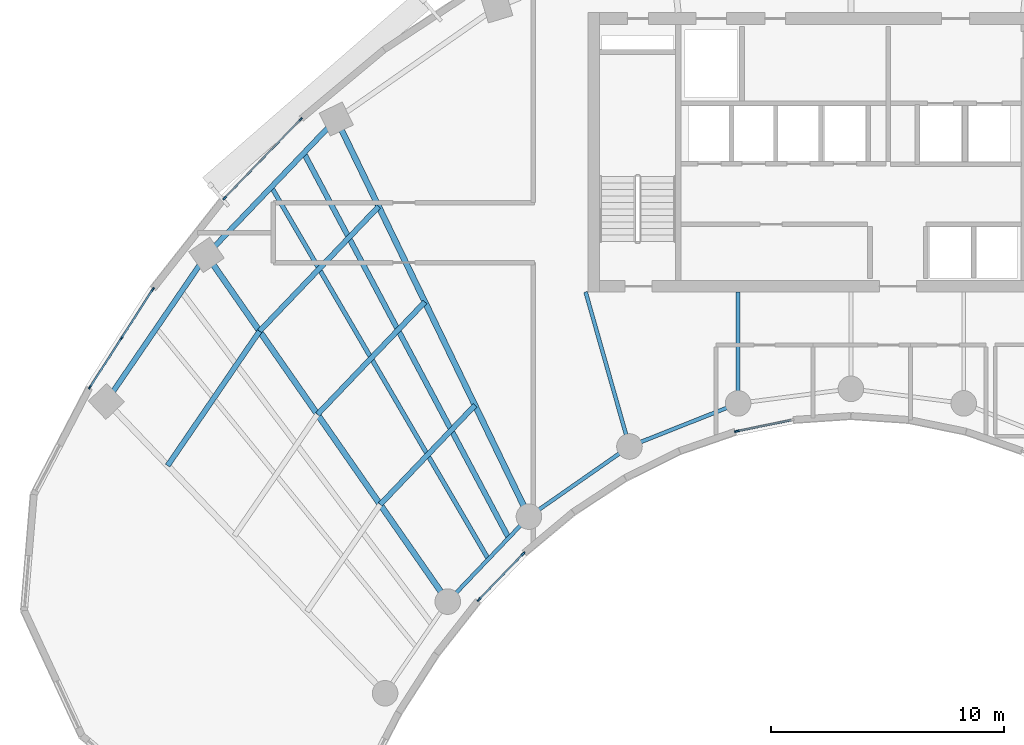
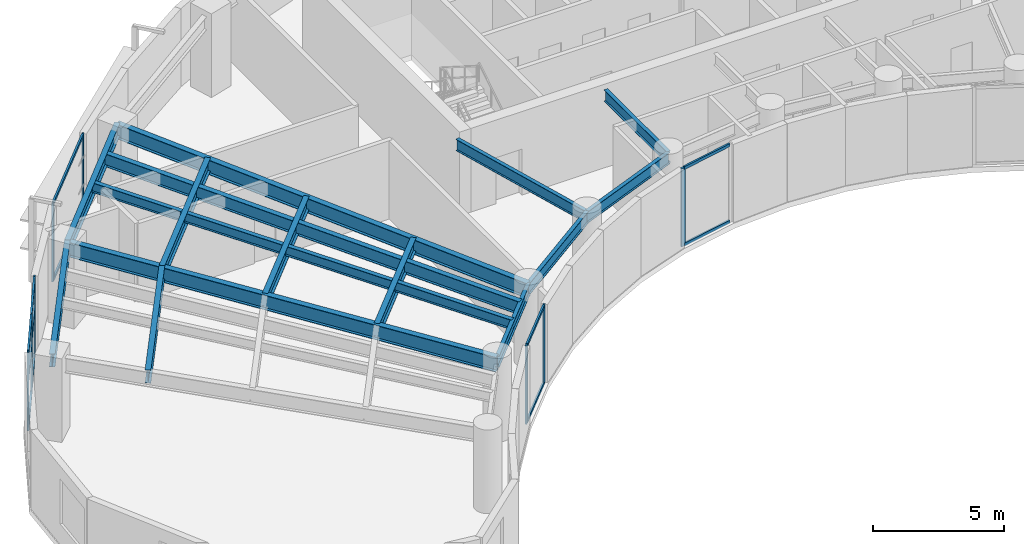
# One storey, part 2 of 13: 20 members, 15 beams, 4 elements without a shape of their own.
"""IFC4 building model written with IfcOpenShell, lengths in metres."""

import ifcopenshell
import ifcopenshell.guid

model = None  # the IFC model being written
_history = None  # IfcOwnerHistory: only IFC2X3 demands one
_inside = {}  # id of a spatial element -> (the spatial element, [elements in it])
_under = {}  # id of a project, library or spatial element -> (it, [spatial elements below it])
_declared = {}  # id of a project -> (the project, [libraries it declares])
_typed = {}  # id of a type object -> (the type object, [elements of that type])
_made_of = {}  # id of a material, layer set ... -> (it, [elements and type objects made of it])


def new_model(schema):
    """Start an empty IFC model of exactly this schema.

    Asked for "IFC4X3", IfcOpenShell would pick the latest addendum, in which some entities
    have other attributes; the version numbers below select the first issue.
    IFC2X3 requires an IfcOwnerHistory on every rooted entity: one is made here for all.
    """
    global model, _history
    if schema == "IFC4X3":
        model = ifcopenshell.file(schema_version=(4, 3, 0, 0))
    else:
        model = ifcopenshell.file(schema=schema)
    _inside.clear()
    _under.clear()
    _declared.clear()
    _typed.clear()
    _made_of.clear()
    _history = None
    if model.schema == "IFC2X3":
        org = make("IfcOrganization", Name="unknown")
        user = make(
            "IfcPersonAndOrganization",
            ThePerson=make("IfcPerson", FamilyName="unknown"),
            TheOrganization=org,
        )
        app = make(
            "IfcApplication",
            ApplicationDeveloper=org,
            Version="unknown",
            ApplicationFullName="unknown",
            ApplicationIdentifier="unknown",
        )
        _history = make(
            "IfcOwnerHistory",
            OwningUser=user,
            OwningApplication=app,
            ChangeAction="ADDED",
            CreationDate=0,
        )
    return model


def make(cls, **values):
    """One entity of the class cls with the attributes given. An attribute that is None is left unset."""
    return model.create_entity(
        cls, **{name: value for name, value in values.items() if value is not None}
    )


def rooted(cls, **values):
    """An entity with a GlobalId (a new one), such as an element, a storey or a relation."""
    return make(cls, GlobalId=ifcopenshell.guid.new(), OwnerHistory=_history, **values)


def si_unit(unit_type, name, prefix=None):
    """IfcSIUnit, for example si_unit("LENGTHUNIT", "METRE", prefix="MILLI")."""
    return make("IfcSIUnit", UnitType=unit_type, Prefix=prefix, Name=name)


def assignment(units):
    """IfcUnitAssignment: the units of a project."""
    return None if units is None else make("IfcUnitAssignment", Units=units)


def point(xyz):
    """IfcCartesianPoint."""
    return None if xyz is None else make("IfcCartesianPoint", Coordinates=xyz)


def direction(xyz):
    """IfcDirection."""
    return None if xyz is None else make("IfcDirection", DirectionRatios=xyz)


def frame(location, z_axis=None, x_axis=None):
    """IfcAxis2Placement3D, a coordinate frame: its origin and axes. An axis left out is left unset."""
    return make(
        "IfcAxis2Placement3D",
        Location=point(location),
        Axis=direction(z_axis),
        RefDirection=direction(x_axis),
    )


def frame_2d(location, x_axis=None):
    """IfcAxis2Placement2D, a coordinate frame in the plane: its origin and x axis."""
    return make(
        "IfcAxis2Placement2D", Location=point(location), RefDirection=direction(x_axis)
    )


def origin():
    """The frame at (0, 0, 0) with its axes left unset."""
    return frame((0.0, 0.0, 0.0))


def origin_2d():
    """The frame at (0, 0) in the plane with its x axis left unset."""
    return frame_2d((0.0, 0.0))


def place(relative_to, where):
    """IfcLocalPlacement: puts the frame where relative to a parent placement (None: the world)."""
    return make(
        "IfcLocalPlacement", PlacementRelTo=relative_to, RelativePlacement=where
    )


def context(
    kind, dimensions, precision=None, world=None, true_north=None, identifier=None
):
    """IfcGeometricRepresentationContext, for example the 3D "Model" context."""
    return make(
        "IfcGeometricRepresentationContext",
        ContextIdentifier=identifier,
        ContextType=kind,
        CoordinateSpaceDimension=dimensions,
        Precision=precision,
        WorldCoordinateSystem=world,
        TrueNorth=true_north,
    )


def subcontext(parent, identifier, kind, view, scale=None):
    """IfcGeometricRepresentationSubContext, for example "Body" below "Model"."""
    return make(
        "IfcGeometricRepresentationSubContext",
        ContextIdentifier=identifier,
        ContextType=kind,
        ParentContext=parent,
        TargetScale=scale,
        TargetView=view,
    )


def project(units=None, contexts=None):
    """IfcProject with its units and contexts."""
    return rooted(
        "IfcProject",
        Name="project",
        RepresentationContexts=contexts,
        UnitsInContext=assignment(units),
    )


def spatial(cls, under=None, at=None, **own):
    """A site, building, storey or space (cls), placed at a placement, below another one or the project."""
    s = rooted(cls, ObjectPlacement=at, **own)
    if under is not None:
        _under.setdefault(under.id(), (under, []))[1].append(s)
    return s


def profile(cls, at=None, kind="AREA", **sizes):
    """A parametric profile (cls). Its sizes go by their IFC names, for example OverallWidth=200.0."""
    return make(cls, ProfileType=kind, Position=at, **sizes)


def rectangle(**sizes):
    """IfcRectangleProfileDef."""
    return profile("IfcRectangleProfileDef", **sizes)


def i_section(**sizes):
    """IfcIShapeProfileDef."""
    return profile("IfcIShapeProfileDef", **sizes)


def extrude(swept, where, along, depth):
    """IfcExtrudedAreaSolid: the profile swept, set in the frame where, extruded along a direction by depth."""
    return make(
        "IfcExtrudedAreaSolid",
        SweptArea=swept,
        Position=where,
        ExtrudedDirection=direction(along),
        Depth=depth,
    )


def shape(context_of_items, identifier, shape_type, items):
    """IfcShapeRepresentation: the items that make up one representation, for example the "Body"."""
    return make(
        "IfcShapeRepresentation",
        ContextOfItems=context_of_items,
        RepresentationIdentifier=identifier,
        RepresentationType=shape_type,
        Items=items,
    )


def source(mapping_origin, context_of_items, identifier, shape_type, items):
    """IfcRepresentationMap: a shape defined once, which mapped items show again and again."""
    return make(
        "IfcRepresentationMap",
        MappingOrigin=mapping_origin,
        MappedRepresentation=shape(context_of_items, identifier, shape_type, items),
    )


def transform(
    local_origin,
    x_axis=None,
    y_axis=None,
    z_axis=None,
    scale=None,
    scale2=None,
    scale3=None,
    uniform=True,
):
    """IfcCartesianTransformationOperator3D, or its non-uniform kind. x_axis, y_axis, z_axis: its Axis1, 2, 3."""
    if uniform:
        return make(
            "IfcCartesianTransformationOperator3D",
            Axis1=direction(x_axis),
            Axis2=direction(y_axis),
            LocalOrigin=point(local_origin),
            Scale=scale,
            Axis3=direction(z_axis),
        )
    return make(
        "IfcCartesianTransformationOperator3DnonUniform",
        Axis1=direction(x_axis),
        Axis2=direction(y_axis),
        LocalOrigin=point(local_origin),
        Scale=scale,
        Axis3=direction(z_axis),
        Scale2=scale2,
        Scale3=scale3,
    )


def mapped(mapping_source, mapping_target):
    """IfcMappedItem: shows the shape of a source again, moved by a transform."""
    return make(
        "IfcMappedItem", MappingSource=mapping_source, MappingTarget=mapping_target
    )


def material(Name=None, Category=None):
    """IfcMaterial."""
    return make("IfcMaterial", Name=Name, Category=Category)


def layer(
    of_material, thickness, ventilated=None, Name=None, Category=None, Priority=None
):
    """IfcMaterialLayer: one layer of a wall or slab, of a material (None: an air gap)."""
    return make(
        "IfcMaterialLayer",
        Material=of_material,
        LayerThickness=thickness,
        IsVentilated=ventilated,
        Name=Name,
        Category=Category,
        Priority=Priority,
    )


def layer_set(layers, Name=None):
    """IfcMaterialLayerSet."""
    return make("IfcMaterialLayerSet", MaterialLayers=layers, LayerSetName=Name)


def material_profile(
    of_material, cross_section, Name=None, Category=None, Priority=None
):
    """IfcMaterialProfile: a cross section and its material."""
    return make(
        "IfcMaterialProfile",
        Name=Name,
        Material=of_material,
        Profile=cross_section,
        Priority=Priority,
        Category=Category,
    )


def profile_set(profiles, Name=None, composite=None):
    """IfcMaterialProfileSet."""
    return make(
        "IfcMaterialProfileSet",
        Name=Name,
        MaterialProfiles=profiles,
        CompositeProfile=composite,
    )


def made_of(thing, what):
    """Note that an element or type object is made of a material, layer set ...; save() writes the relation."""
    if what is not None:
        _made_of.setdefault(what.id(), (what, []))[1].append(thing)
    return thing


def type_object(cls, material=None, **own):
    """A type object (cls), such as IfcWallType, which elements share."""
    return made_of(rooted(cls, **own), material)


def type_shapes(of_type, sources):
    """Give a type object the sources (RepresentationMaps) that its elements show as mapped items."""
    of_type.RepresentationMaps = sources


def element(
    cls,
    number,
    at=None,
    inside=None,
    cuts=None,
    type_object=None,
    material=None,
    context=None,
    identifier="Body",
    shape_type=None,
    held_by="IfcProductDefinitionShape",
    body=None,
    shapes=None,
    **own,
):
    """One element of the class cls, such as IfcWall. Its Tag is "e" and its number.

    at: its placement. inside: the storey or other place that contains it. cuts: it is an
    opening in that element (IfcRelVoidsElement). A single representation is given by context,
    identifier, shape_type and body (its items); several are given by shapes. held_by: the class
    of the entity that holds the representations. save() writes the other relations.
    """
    e = rooted(cls, Tag="e%d" % number, ObjectPlacement=at, **own)
    if body is not None:
        shapes = [shape(context, identifier, shape_type, body)]
    if shapes is not None:
        e.Representation = make(held_by, Representations=shapes)
    if inside is not None:
        _inside.setdefault(inside.id(), (inside, []))[1].append(e)
    if cuts is not None:
        rooted(
            "IfcRelVoidsElement", RelatingBuildingElement=cuts, RelatedOpeningElement=e
        )
    if type_object is not None:
        _typed.setdefault(type_object.id(), (type_object, []))[1].append(e)
    return made_of(e, material)


def aggregate(whole, parts):
    """IfcRelAggregates: a whole, such as a stair, and the parts it consists of."""
    return rooted("IfcRelAggregates", RelatingObject=whole, RelatedObjects=parts)


def save(model, path):
    """Write the relations noted so far, then the file.

    IfcRelAggregates (storeys below a building ...), IfcRelContainedInSpatialStructure (elements
    in a storey), IfcRelDefinesByType, IfcRelAssociatesMaterial and IfcRelDeclares: one each for
    every whole, place, type object, material and project.
    """
    for whole, parts in _under.values():
        aggregate(whole, parts)
    for where, things in _inside.values():
        rooted(
            "IfcRelContainedInSpatialStructure",
            RelatedElements=things,
            RelatingStructure=where,
        )
    for kind, things in _typed.values():
        rooted("IfcRelDefinesByType", RelatedObjects=things, RelatingType=kind)
    for what, things in _made_of.values():
        rooted("IfcRelAssociatesMaterial", RelatedObjects=things, RelatingMaterial=what)
    for by, libraries in _declared.values():
        rooted("IfcRelDeclares", RelatingContext=by, RelatedDefinitions=libraries)
    model.write(path)


model = new_model("IFC4")

# Units and contexts
model_context = context("Model", 3, precision=1e-05, world=origin(), true_north=direction((0.0, 1.0)))
body_context = subcontext(model_context, "Body", "Model", "MODEL_VIEW")
ifc_project = project(units=[si_unit("LENGTHUNIT", "METRE"), si_unit("AREAUNIT", "SQUARE_METRE"), si_unit("VOLUMEUNIT", "CUBIC_METRE"), si_unit("PLANEANGLEUNIT", "RADIAN"), si_unit("MASSUNIT", "GRAM", prefix="KILO")], contexts=[model_context])

# Site, building, storey
site_placement = place(None, origin())
site = spatial("IfcSite", under=ifc_project, at=site_placement, CompositionType="ELEMENT")
building_placement = place(site_placement, origin())
building = spatial("IfcBuilding", under=site, at=building_placement, Name="Breltana Convention Tower", CompositionType="ELEMENT")
storey_placement = place(building_placement, frame((0.0, 0.0, 158.39990234375)))
storey = spatial("IfcBuildingStorey", under=building, at=storey_placement, Name="L38", CompositionType="ELEMENT", Elevation=158.39990234375)

# Beams
ifc_material_1 = material(Name="Steel ASTM A992 Grade 50", Category="steel")
ifc_material_profile_1 = material_profile(ifc_material_1, i_section(OverallWidth=0.25390625, OverallDepth=0.68798828125, WebThickness=0.01318359375, FlangeThickness=0.02099609375, at=origin_2d()), Name="W27X102")
ifc_profile_set_1 = profile_set([ifc_material_profile_1], Name="Steel ASTM A992 Grade 50")
beam_type_1 = type_object("IfcBeamType", Name="BM-RG-W27X102", PredefinedType="USERDEFINED", material=ifc_profile_set_1)
shared_shape_1 = source(origin(), body_context, "Body", "SweptSolid", [
    extrude(i_section(OverallWidth=0.25390625, OverallDepth=0.68798828125, WebThickness=0.01318359375, FlangeThickness=0.02099609375, at=origin_2d()), origin(), (0.0, 0.0, 1.0), 18.1484375),
])
beam_1_placement = place(storey_placement, frame((30.67724609375, 46.892333984375, 3.30615234375), z_axis=(-0.571207556098, 0.820805657788, 0.0), x_axis=(-0.820805657788, -0.571207556098, 0.0)))
element("IfcBeam", 1, at=beam_1_placement, inside=storey, type_object=beam_type_1, Name="L38 Radial Floor Girder R02", ObjectType="GIRDER", PredefinedType="USERDEFINED", context=body_context, shape_type="MappedRepresentation", body=[
    mapped(shared_shape_1, transform((0.0, 0.0, 0.0), scale=1.0)),
])
shared_shape_2 = source(origin(), body_context, "Body", "SweptSolid", [
    extrude(i_section(OverallWidth=0.25390625, OverallDepth=0.68798828125, WebThickness=0.01318359375, FlangeThickness=0.02099609375, at=origin_2d()), origin(), (0.0, 0.0, 1.0), 18.982421875),
])
beam_2_placement = place(storey_placement, frame((34.166259765625, 50.544921875, 3.30615234375), z_axis=(-0.436118560343, 0.89988921614, 0.0), x_axis=(-0.89988921614, -0.436118560343, 0.0)))
element("IfcBeam", 2, at=beam_2_placement, inside=storey, type_object=beam_type_1, Name="L38 Radial Floor Girder R03", ObjectType="GIRDER", PredefinedType="USERDEFINED", context=body_context, shape_type="MappedRepresentation", body=[
    mapped(shared_shape_2, transform((0.0, 0.0, 0.0), scale=1.0)),
])
ifc_material_profile_2 = material_profile(ifc_material_1, i_section(OverallWidth=0.166015625, OverallDepth=0.534912109375, WebThickness=0.01025390625, FlangeThickness=0.0166015625, at=origin_2d()), Name="W21X57")
ifc_profile_set_2 = profile_set([ifc_material_profile_2], Name="Steel ASTM A992 Grade 50")
beam_type_2 = type_object("IfcBeamType", Name="BM-BM-W21X57", PredefinedType="BEAM", material=ifc_profile_set_2)
shared_shape_3 = source(origin(), body_context, "Body", "SweptSolid", [
    extrude(i_section(OverallWidth=0.166015625, OverallDepth=0.534912109375, WebThickness=0.01025390625, FlangeThickness=0.0166015625, at=origin_2d()), origin(), (0.0, 0.0, 1.0), 6.904541015625),
])
type_shapes(beam_type_2, [shared_shape_3])
beam_3_placement = place(storey_placement, frame((36.60009765625, 60.199951171875, 3.382568359375), z_axis=(0.273006781054, -0.962012108811, 0.0), x_axis=(0.962012108811, 0.273006781054, 0.0)))
element("IfcBeam", 3, at=beam_3_placement, inside=storey, type_object=beam_type_2, Name="L38 South Core Tie Girder R04", PredefinedType="BEAM", context=body_context, shape_type="MappedRepresentation", body=[
    mapped(shared_shape_3, transform((0.0, 0.0, 0.0), scale=1.0)),
])
shared_shape_4 = source(origin(), body_context, "Body", "SweptSolid", [
    extrude(i_section(OverallWidth=0.166015625, OverallDepth=0.534912109375, WebThickness=0.01025390625, FlangeThickness=0.0166015625, at=origin_2d()), origin(), (0.0, 0.0, 1.0), 4.789306640625),
])
beam_4_placement = place(storey_placement, frame((43.153564453125, 60.199951171875, 3.382568359375), z_axis=(0.0, -1.0, 0.0), x_axis=(1.0, 0.0, 0.0)))
element("IfcBeam", 4, at=beam_4_placement, inside=storey, type_object=beam_type_2, Name="L38 South Core Tie Girder R05", PredefinedType="BEAM", context=body_context, shape_type="MappedRepresentation", body=[
    mapped(shared_shape_4, transform((0.0, 0.0, 0.0), scale=1.0)),
])
ifc_material_profile_3 = material_profile(ifc_material_1, i_section(OverallWidth=0.22802734375, OverallDepth=0.60791015625, WebThickness=0.01123046875, FlangeThickness=0.017333984375, at=origin_2d()), Name="W24X76")
ifc_profile_set_3 = profile_set([ifc_material_profile_3], Name="Steel ASTM A992 Grade 50")
beam_type_3 = type_object("IfcBeamType", Name="BM-SP-W24X76", PredefinedType="SPANDREL", material=ifc_profile_set_3)
shared_shape_5 = source(origin(), body_context, "Body", "SweptSolid", [
    extrude(i_section(OverallWidth=0.22802734375, OverallDepth=0.60791015625, WebThickness=0.01123046875, FlangeThickness=0.017333984375, at=origin_2d()), origin(), (0.0, 0.0, 1.0), 7.625),
])
type_shapes(beam_type_3, [shared_shape_5])
beam_5_placement = place(storey_placement, frame((16.0068359375, 55.494384765625, 3.34619140625), z_axis=(0.564452031902, 0.825465870694, 0.0), x_axis=(-0.825465870694, 0.564452031902, 0.0)))
element("IfcBeam", 5, at=beam_5_placement, inside=storey, type_object=beam_type_3, Name="L38 Outer Spandrel Beam 01", PredefinedType="SPANDREL", context=body_context, shape_type="MappedRepresentation", body=[
    mapped(shared_shape_5, transform((0.0, 0.0, 0.0), scale=1.0)),
])
shared_shape_6 = source(origin(), body_context, "Body", "SweptSolid", [
    extrude(i_section(OverallWidth=0.166015625, OverallDepth=0.534912109375, WebThickness=0.01025390625, FlangeThickness=0.0166015625, at=origin_2d()), origin(), (0.0, 0.0, 1.0), 5.05126953125),
])
beam_6_placement = place(storey_placement, frame((30.67724609375, 46.892333984375, 3.382568359375), z_axis=(0.690729753845, 0.7231129975, 0.0), x_axis=(-0.7231129975, 0.690729753845, 0.0)))
element("IfcBeam", 6, at=beam_6_placement, inside=storey, type_object=beam_type_2, Name="L38 Inner Ring Beam 02", PredefinedType="BEAM", context=body_context, shape_type="MappedRepresentation", body=[
    mapped(shared_shape_6, transform((0.0, 0.0, 0.0), scale=1.0)),
])
shared_shape_7 = source(origin(), body_context, "Body", "SweptSolid", [
    extrude(i_section(OverallWidth=0.22802734375, OverallDepth=0.60791015625, WebThickness=0.01123046875, FlangeThickness=0.017333984375, at=origin_2d()), origin(), (0.0, 0.0, 1.0), 8.073974609375),
])
beam_7_placement = place(storey_placement, frame((20.310791015625, 61.78857421875, 3.34619140625), z_axis=(0.69072885448, 0.723113856588, 0.0), x_axis=(-0.723113856588, 0.69072885448, 0.0)))
element("IfcBeam", 7, at=beam_7_placement, inside=storey, type_object=beam_type_3, Name="L38 Outer Spandrel Beam 02", PredefinedType="SPANDREL", context=body_context, shape_type="MappedRepresentation", body=[
    mapped(shared_shape_7, transform((0.0, 0.0, 0.0), scale=1.0)),
])
shared_shape_8 = source(origin(), body_context, "Body", "SweptSolid", [
    extrude(i_section(OverallWidth=0.166015625, OverallDepth=0.534912109375, WebThickness=0.01025390625, FlangeThickness=0.0166015625, at=origin_2d()), origin(), (0.0, 0.0, 1.0), 5.265869140625),
])
beam_8_placement = place(storey_placement, frame((34.166259765625, 50.544921875, 3.382568359375), z_axis=(0.820167429517, 0.572123577176, 0.0), x_axis=(-0.572123577176, 0.820167429517, 0.0)))
element("IfcBeam", 8, at=beam_8_placement, inside=storey, type_object=beam_type_2, Name="L38 Inner Ring Beam 03", PredefinedType="BEAM", context=body_context, shape_type="MappedRepresentation", body=[
    mapped(shared_shape_8, transform((0.0, 0.0, 0.0), scale=1.0)),
])
shared_shape_9 = source(origin(), body_context, "Body", "SweptSolid", [
    extrude(i_section(OverallWidth=0.166015625, OverallDepth=0.534912109375, WebThickness=0.01025390625, FlangeThickness=0.0166015625, at=origin_2d()), origin(), (0.0, 0.0, 1.0), 5.022705078125),
])
beam_9_placement = place(storey_placement, frame((38.485107421875, 53.5576171875, 3.382568359375), z_axis=(0.929458966248, 0.368925507469, 0.0), x_axis=(-0.368925507469, 0.929458966248, 0.0)))
element("IfcBeam", 9, at=beam_9_placement, inside=storey, type_object=beam_type_2, Name="L38 Inner Ring Beam 04", PredefinedType="BEAM", context=body_context, shape_type="MappedRepresentation", body=[
    mapped(shared_shape_9, transform((0.0, 0.0, 0.0), scale=1.0)),
])
ifc_material_profile_4 = material_profile(ifc_material_1, i_section(OverallWidth=0.22802734375, OverallDepth=0.60791015625, WebThickness=0.01123046875, FlangeThickness=0.017333984375, at=origin_2d()), Name="W24X76")
ifc_profile_set_4 = profile_set([ifc_material_profile_4], Name="Steel ASTM A992 Grade 50")
beam_type_4 = type_object("IfcBeamType", Name="BM-JSG-02", PredefinedType="JOIST", material=ifc_profile_set_4)
shared_shape_10 = source(origin(), body_context, "Body", "SweptSolid", [
    extrude(i_section(OverallWidth=0.22802734375, OverallDepth=0.60791015625, WebThickness=0.01123046875, FlangeThickness=0.017333984375, at=origin_2d()), origin(), (0.0, 0.0, 1.0), 6.997314453125),
])
beam_10_placement = place(storey_placement, frame((18.641845703125, 52.735595703125, 3.34619140625), z_axis=(0.564468756361, 0.825454434292, 0.0), x_axis=(-0.825454434292, 0.564468756361, 0.0)))
element("IfcBeam", 10, at=beam_10_placement, inside=storey, type_object=beam_type_4, Name="L38 Composite Floor Joist 01.3", PredefinedType="JOIST", context=body_context, shape_type="MappedRepresentation", body=[
    mapped(shared_shape_10, transform((0.0, 0.0, 0.0), scale=1.0)),
])
shared_shape_11 = source(origin(), body_context, "Body", "SweptSolid", [
    extrude(i_section(OverallWidth=0.22802734375, OverallDepth=0.60791015625, WebThickness=0.01123046875, FlangeThickness=0.017333984375, at=origin_2d()), origin(), (0.0, 0.0, 1.0), 5.8974609375),
])
beam_11_placement = place(storey_placement, frame((27.774658203125, 51.063232421875, 3.34619140625), z_axis=(0.690713978666, 0.723128065888, 0.0), x_axis=(-0.723128065888, 0.690713978666, 0.0)))
element("IfcBeam", 11, at=beam_11_placement, inside=storey, type_object=beam_type_4, Name="L38 Composite Floor Joist 02.1", PredefinedType="JOIST", context=body_context, shape_type="MappedRepresentation", body=[
    mapped(shared_shape_11, transform((0.0, 0.0, 0.0), scale=1.0)),
])
shared_shape_12 = source(origin(), body_context, "Body", "SweptSolid", [
    extrude(i_section(OverallWidth=0.22802734375, OverallDepth=0.60791015625, WebThickness=0.01123046875, FlangeThickness=0.017333984375, at=origin_2d()), origin(), (0.0, 0.0, 1.0), 6.68359375),
])
beam_12_placement = place(storey_placement, frame((25.079345703125, 54.936279296875, 3.34619140625), z_axis=(0.690720705885, 0.723121640156, 0.0), x_axis=(-0.723121640156, 0.690720705885, 0.0)))
element("IfcBeam", 12, at=beam_12_placement, inside=storey, type_object=beam_type_4, Name="L38 Composite Floor Joist 02.2", PredefinedType="JOIST", context=body_context, shape_type="MappedRepresentation", body=[
    mapped(shared_shape_12, transform((0.0, 0.0, 0.0), scale=1.0)),
])
shared_shape_13 = source(origin(), body_context, "Body", "SweptSolid", [
    extrude(i_section(OverallWidth=0.22802734375, OverallDepth=0.60791015625, WebThickness=0.01123046875, FlangeThickness=0.017333984375, at=origin_2d()), origin(), (0.0, 0.0, 1.0), 7.40869140625),
])
beam_13_placement = place(storey_placement, frame((22.591552734375, 58.511474609375, 3.34619140625), z_axis=(0.690724936208, 0.723117599358, 0.0), x_axis=(-0.723117599358, 0.690724936208, 0.0)))
element("IfcBeam", 13, at=beam_13_placement, inside=storey, type_object=beam_type_4, Name="L38 Composite Floor Joist 02.3", PredefinedType="JOIST", context=body_context, shape_type="MappedRepresentation", body=[
    mapped(shared_shape_13, transform((0.0, 0.0, 0.0), scale=1.0)),
])
ifc_material_profile_5 = material_profile(ifc_material_1, i_section(OverallWidth=0.19091796875, OverallDepth=0.4599609375, WebThickness=0.010009765625, FlangeThickness=0.01611328125, at=origin_2d()), Name="W18X55")
ifc_profile_set_5 = profile_set([ifc_material_profile_5], Name="Steel ASTM A992 Grade 50")
beam_type_5 = type_object("IfcBeamType", Name="BM-JSG-07", PredefinedType="JOIST", material=ifc_profile_set_5)
shared_shape_14 = source(origin(), body_context, "Body", "SweptSolid", [
    extrude(i_section(OverallWidth=0.19091796875, OverallDepth=0.4599609375, WebThickness=0.010009765625, FlangeThickness=0.01611328125, at=origin_2d()), origin(), (0.0, 0.0, 1.0), 18.50830078125),
])
beam_14_placement = place(storey_placement, frame((32.421630859375, 48.71875, 3.420166015625), z_axis=(-0.50368319637, 0.863888440537, 0.0), x_axis=(-0.863888440537, -0.50368319637, 0.0)))
element("IfcBeam", 14, at=beam_14_placement, inside=storey, type_object=beam_type_5, Name="L38 Mid-Bay Radial Trimmer 02", PredefinedType="JOIST", context=body_context, shape_type="MappedRepresentation", body=[
    mapped(shared_shape_14, transform((0.0, 0.0, 0.0), scale=1.0)),
])
shared_shape_15 = source(origin(), body_context, "Body", "SweptSolid", [
    extrude(i_section(OverallWidth=0.22802734375, OverallDepth=0.60791015625, WebThickness=0.01123046875, FlangeThickness=0.017333984375, at=origin_2d()), origin(), (0.0, 0.0, 1.0), 18.731689453125),
])
beam_15_placement = place(storey_placement, frame((33.2939453125, 49.6318359375, 3.34619140625), z_axis=(-0.469820250451, 0.882762104004, 0.0), x_axis=(-0.882762104004, -0.469820250451, 0.0)))
element("IfcBeam", 15, at=beam_15_placement, inside=storey, type_object=beam_type_4, Name="L38 Quarter-Bay Radial Trimmer 02", PredefinedType="JOIST", context=body_context, shape_type="MappedRepresentation", body=[
    mapped(shared_shape_15, transform((0.0, 0.0, 0.0), scale=1.0)),
])

# Curtain wall, member
ifc_material_2 = material(Name="Aluminium Anodised Bronze Frame", Category="aluminium")
ifc_layer_1 = layer(ifc_material_2, 0.18994140625, Name="Aluminium Anodised Bronze Frame")
ifc_layer_set_1 = layer_set([ifc_layer_1], Name="Aluminium Anodised Bronze Frame")
curtain_wall_type_1 = type_object("IfcCurtainWallType", Name="CW-SYS-1", PredefinedType="NOTDEFINED", material=ifc_layer_set_1)
curtain_wall_1_placement = place(storey_placement, origin())
curtain_wall_1 = element("IfcCurtainWall", 16, at=curtain_wall_1_placement, inside=storey, type_object=curtain_wall_type_1, Name="L38 inner south-court glazing 4", PredefinedType="NOTDEFINED")
ifc_material_3 = material(Name="Aluminium Anodised Bronze", Category="aluminium")
ifc_material_profile_6 = material_profile(ifc_material_3, rectangle(XDim=0.080078125, YDim=0.199951171875, at=origin_2d()), Name="CWM-80X200")
ifc_profile_set_6 = profile_set([ifc_material_profile_6], Name="Aluminium Anodised Bronze")
member_type_1 = type_object("IfcMemberType", Name="CWM-200", PredefinedType="MULLION", material=ifc_profile_set_6)
shared_shape_16 = source(origin(), body_context, "Body", "SweptSolid", [
    extrude(rectangle(XDim=0.080078125, YDim=0.199951171875, at=origin_2d()), origin(), (0.0, 0.0, 1.0), 3.650146484375),
])
member_1_placement = place(storey_placement, frame((43.0966796875, 54.212646484375, 0.0), z_axis=(0.0, 0.0, 1.0), x_axis=(0.200861178299, -0.979619715529, 0.0)))
member_1 = element("IfcMember", 17, at=member_1_placement, type_object=member_type_1, Name="CW-01 mullion 2", PredefinedType="MULLION", context=body_context, shape_type="MappedRepresentation", body=[
    mapped(shared_shape_16, transform((0.0, 0.0, 0.0), scale=1.0)),
])

# Curtain wall, members
curtain_wall_2_placement = place(storey_placement, origin())
curtain_wall_2 = element("IfcCurtainWall", 18, at=curtain_wall_2_placement, inside=storey, type_object=curtain_wall_type_1, Name="L38 inner south-court glazing 5", PredefinedType="NOTDEFINED")
member_2_placement = place(storey_placement, frame((33.917236328125, 48.944580078125, 0.0), z_axis=(0.0, 0.0, 1.0), x_axis=(0.719389819694, -0.694606570168, 0.0)))
member_2 = element("IfcMember", 19, at=member_2_placement, type_object=member_type_1, Name="CW-01 mullion 1", PredefinedType="MULLION", context=body_context, shape_type="MappedRepresentation", body=[
    mapped(shared_shape_16, transform((0.0, 0.0, 0.0), scale=1.0)),
])
member_3_placement = place(storey_placement, frame((32.019287109375, 46.978759765625, 0.0), z_axis=(0.0, 0.0, 1.0), x_axis=(0.719389819694, -0.694606570168, 0.0)))
member_3 = element("IfcMember", 20, at=member_3_placement, type_object=member_type_1, Name="CW-01 mullion 2", PredefinedType="MULLION", context=body_context, shape_type="MappedRepresentation", body=[
    mapped(shared_shape_16, transform((0.0, 0.0, 0.0), scale=1.0)),
])

ifc_layer_2 = layer(ifc_material_2, 0.2099609375, Name="Aluminium Anodised Bronze Frame")
ifc_layer_set_2 = layer_set([ifc_layer_2], Name="Aluminium Anodised Bronze Frame")
curtain_wall_type_2 = type_object("IfcCurtainWallType", Name="CW-SYS-3", PredefinedType="NOTDEFINED", material=ifc_layer_set_2)
curtain_wall_3_placement = place(storey_placement, origin())
curtain_wall_3 = element("IfcCurtainWall", 21, at=curtain_wall_3_placement, inside=storey, type_object=curtain_wall_type_2, Name="L38 outer double-skin inner glazing 1", PredefinedType="NOTDEFINED")
ifc_material_profile_7 = material_profile(ifc_material_3, rectangle(XDim=0.070068359375, YDim=0.175048828125, at=origin_2d()), Name="CWM-70X175")
ifc_profile_set_7 = profile_set([ifc_material_profile_7], Name="Aluminium Anodised Bronze")
member_type_2 = type_object("IfcMemberType", Name="CWM-175", PredefinedType="MULLION", material=ifc_profile_set_7)
shared_shape_17 = source(origin(), body_context, "Body", "SweptSolid", [
    extrude(rectangle(XDim=0.070068359375, YDim=0.175048828125, at=origin_2d()), origin(), (0.0, 0.0, 1.0), 3.650146484375),
])
member_4_placement = place(storey_placement, frame((15.304443359375, 56.10498046875, 0.0), z_axis=(0.0, 0.0, 1.0), x_axis=(-0.841554203529, 0.54017267843, 0.0)))
member_4 = element("IfcMember", 22, at=member_4_placement, type_object=member_type_2, Name="CW-03 mullion 1", PredefinedType="MULLION", context=body_context, shape_type="MappedRepresentation", body=[
    mapped(shared_shape_17, transform((0.0, 0.0, 0.0), scale=1.0)),
])
member_5_placement = place(storey_placement, frame((16.6533203125, 58.20654296875, 0.0), z_axis=(0.0, 0.0, 1.0), x_axis=(-0.841554203529, 0.54017267843, 0.0)))
member_5 = element("IfcMember", 23, at=member_5_placement, type_object=member_type_2, Name="CW-03 mullion 2", PredefinedType="MULLION", context=body_context, shape_type="MappedRepresentation", body=[
    mapped(shared_shape_17, transform((0.0, 0.0, 0.0), scale=1.0)),
])
member_6_placement = place(storey_placement, frame((18.00244140625, 60.308349609375, 0.0), z_axis=(0.0, 0.0, 1.0), x_axis=(-0.841554203529, 0.54017267843, 0.0)))
member_6 = element("IfcMember", 24, at=member_6_placement, type_object=member_type_2, Name="CW-03 mullion 3", PredefinedType="MULLION", context=body_context, shape_type="MappedRepresentation", body=[
    mapped(shared_shape_17, transform((0.0, 0.0, 0.0), scale=1.0)),
])

curtain_wall_4_placement = place(storey_placement, origin())
curtain_wall_4 = element("IfcCurtainWall", 25, at=curtain_wall_4_placement, inside=storey, type_object=curtain_wall_type_2, Name="L38 outer double-skin inner glazing 2", PredefinedType="NOTDEFINED")
member_7_placement = place(storey_placement, frame((21.087890625, 64.2314453125, 0.0), z_axis=(0.0, 0.0, 1.0), x_axis=(-0.719393523398, 0.694602734297, 0.0)))
member_7 = element("IfcMember", 26, at=member_7_placement, type_object=member_type_2, Name="CW-03 mullion 1", PredefinedType="MULLION", context=body_context, shape_type="MappedRepresentation", body=[
    mapped(shared_shape_17, transform((0.0, 0.0, 0.0), scale=1.0)),
])
member_8_placement = place(storey_placement, frame((24.356689453125, 67.616943359375, 0.0), z_axis=(0.0, 0.0, 1.0), x_axis=(-0.719393523398, 0.694602734297, 0.0)))
member_8 = element("IfcMember", 27, at=member_8_placement, type_object=member_type_2, Name="CW-03 mullion 2", PredefinedType="MULLION", context=body_context, shape_type="MappedRepresentation", body=[
    mapped(shared_shape_17, transform((0.0, 0.0, 0.0), scale=1.0)),
])

# Member
ifc_material_profile_8 = material_profile(ifc_material_3, rectangle(XDim=0.080078125, YDim=0.139892578125, at=origin_2d()), Name="CWT-80X140")
ifc_profile_set_8 = profile_set([ifc_material_profile_8], Name="Aluminium Anodised Bronze")
member_type_3 = type_object("IfcMemberType", Name="CWT-140", PredefinedType="USERDEFINED", material=ifc_profile_set_8)
shared_shape_18 = source(origin(), body_context, "Body", "SweptSolid", [
    extrude(rectangle(XDim=0.080078125, YDim=0.139892578125, at=origin_2d()), origin(), (0.0, 0.0, 1.0), 2.427490234375),
])
member_9_placement = place(storey_placement, frame((15.3232421875, 56.134521484375, 0.0400390625), z_axis=(0.540203388332, 0.841534490817, 0.0), x_axis=(-0.841534490817, 0.540203388332, 0.0)))
member_9 = element("IfcMember", 28, at=member_9_placement, type_object=member_type_3, Name="CW-03 transom 1.1", ObjectType="TRANSOM", PredefinedType="USERDEFINED", context=body_context, shape_type="MappedRepresentation", body=[
    mapped(shared_shape_18, transform((0.0, 0.0, 0.0), scale=1.0)),
])

member_10_placement = place(storey_placement, frame((15.3232421875, 56.134521484375, 2.37255859375), z_axis=(0.540203388332, 0.841534490817, 0.0), x_axis=(-0.841534490817, 0.540203388332, 0.0)))
member_10 = element("IfcMember", 29, at=member_10_placement, type_object=member_type_3, Name="CW-03 transom 1.2", ObjectType="TRANSOM", PredefinedType="USERDEFINED", context=body_context, shape_type="MappedRepresentation", body=[
    mapped(shared_shape_18, transform((0.0, 0.0, 0.0), scale=1.0)),
])

member_11_placement = place(storey_placement, frame((15.3232421875, 56.134521484375, 3.610107421875), z_axis=(0.540203388332, 0.841534490817, 0.0), x_axis=(-0.841534490817, 0.540203388332, 0.0)))
member_11 = element("IfcMember", 30, at=member_11_placement, type_object=member_type_3, Name="CW-03 transom 1.3", ObjectType="TRANSOM", PredefinedType="USERDEFINED", context=body_context, shape_type="MappedRepresentation", body=[
    mapped(shared_shape_18, transform((0.0, 0.0, 0.0), scale=1.0)),
])

shared_shape_19 = source(origin(), body_context, "Body", "SweptSolid", [
    extrude(rectangle(XDim=0.080078125, YDim=0.139892578125, at=origin_2d()), origin(), (0.0, 0.0, 1.0), 2.42724609375),
])
member_12_placement = place(storey_placement, frame((16.67236328125, 58.236083984375, 0.0400390625), z_axis=(0.540132155308, 0.841580212934, 0.0), x_axis=(-0.841580212934, 0.540132155308, 0.0)))
member_12 = element("IfcMember", 31, at=member_12_placement, type_object=member_type_3, Name="CW-03 transom 2.1", ObjectType="TRANSOM", PredefinedType="USERDEFINED", context=body_context, shape_type="MappedRepresentation", body=[
    mapped(shared_shape_19, transform((0.0, 0.0, 0.0), scale=1.0)),
])

member_13_placement = place(storey_placement, frame((16.67236328125, 58.236083984375, 2.37255859375), z_axis=(0.540132155308, 0.841580212934, 0.0), x_axis=(-0.841580212934, 0.540132155308, 0.0)))
member_13 = element("IfcMember", 32, at=member_13_placement, type_object=member_type_3, Name="CW-03 transom 2.2", ObjectType="TRANSOM", PredefinedType="USERDEFINED", context=body_context, shape_type="MappedRepresentation", body=[
    mapped(shared_shape_19, transform((0.0, 0.0, 0.0), scale=1.0)),
])

member_14_placement = place(storey_placement, frame((16.67236328125, 58.236083984375, 3.610107421875), z_axis=(0.540132155308, 0.841580212934, 0.0), x_axis=(-0.841580212934, 0.540132155308, 0.0)))
member_14 = element("IfcMember", 33, at=member_14_placement, type_object=member_type_3, Name="CW-03 transom 2.3", ObjectType="TRANSOM", PredefinedType="USERDEFINED", context=body_context, shape_type="MappedRepresentation", body=[
    mapped(shared_shape_19, transform((0.0, 0.0, 0.0), scale=1.0)),
])

aggregate(curtain_wall_3, [member_4, member_5, member_6, member_9, member_10, member_11, member_12, member_13, member_14])

shared_shape_20 = source(origin(), body_context, "Body", "SweptSolid", [
    extrude(rectangle(XDim=0.080078125, YDim=0.139892578125, at=origin_2d()), origin(), (0.0, 0.0, 1.0), 4.635986328125),
])
member_15_placement = place(storey_placement, frame((21.1123046875, 64.256591796875, 0.0400390625), z_axis=(0.694569137919, 0.719425960506, 0.0), x_axis=(-0.719425960506, 0.694569137919, 0.0)))
member_15 = element("IfcMember", 34, at=member_15_placement, type_object=member_type_3, Name="CW-03 transom 1.1", ObjectType="TRANSOM", PredefinedType="USERDEFINED", context=body_context, shape_type="MappedRepresentation", body=[
    mapped(shared_shape_20, transform((0.0, 0.0, 0.0), scale=1.0)),
])

member_16_placement = place(storey_placement, frame((21.1123046875, 64.256591796875, 3.610107421875), z_axis=(0.694569137919, 0.719425960506, 0.0), x_axis=(-0.719425960506, 0.694569137919, 0.0)))
member_16 = element("IfcMember", 35, at=member_16_placement, type_object=member_type_3, Name="CW-03 transom 1.2", ObjectType="TRANSOM", PredefinedType="USERDEFINED", context=body_context, shape_type="MappedRepresentation", body=[
    mapped(shared_shape_20, transform((0.0, 0.0, 0.0), scale=1.0)),
])

aggregate(curtain_wall_4, [member_7, member_8, member_15, member_16])

shared_shape_21 = source(origin(), body_context, "Body", "SweptSolid", [
    extrude(rectangle(XDim=0.080078125, YDim=0.139892578125, at=origin_2d()), origin(), (0.0, 0.0, 1.0), 2.331298828125),
])
member_17_placement = place(storey_placement, frame((45.419677734375, 54.688720703125, 0.0400390625), z_axis=(-0.979618555343, -0.200866836556, 0.0), x_axis=(0.200866836556, -0.979618555343, 0.0)))
member_17 = element("IfcMember", 36, at=member_17_placement, type_object=member_type_3, Name="CW-01 transom 1.1", ObjectType="TRANSOM", PredefinedType="USERDEFINED", context=body_context, shape_type="MappedRepresentation", body=[
    mapped(shared_shape_21, transform((0.0, 0.0, 0.0), scale=1.0)),
])

member_18_placement = place(storey_placement, frame((45.419677734375, 54.688720703125, 3.610107421875), z_axis=(-0.979618555343, -0.200866836556, 0.0), x_axis=(0.200866836556, -0.979618555343, 0.0)))
member_18 = element("IfcMember", 37, at=member_18_placement, type_object=member_type_3, Name="CW-01 transom 1.2", ObjectType="TRANSOM", PredefinedType="USERDEFINED", context=body_context, shape_type="MappedRepresentation", body=[
    mapped(shared_shape_21, transform((0.0, 0.0, 0.0), scale=1.0)),
])

aggregate(curtain_wall_1, [member_1, member_17, member_18])

shared_shape_22 = source(origin(), body_context, "Body", "SweptSolid", [
    extrude(rectangle(XDim=0.080078125, YDim=0.139892578125, at=origin_2d()), origin(), (0.0, 0.0, 1.0), 2.652587890625),
])
member_19_placement = place(storey_placement, frame((33.8896484375, 48.915771484375, 0.0400390625), z_axis=(-0.694619151454, -0.719377671626, 0.0), x_axis=(0.719377671626, -0.694619151454, 0.0)))
member_19 = element("IfcMember", 38, at=member_19_placement, type_object=member_type_3, Name="CW-01 transom 1.1", ObjectType="TRANSOM", PredefinedType="USERDEFINED", context=body_context, shape_type="MappedRepresentation", body=[
    mapped(shared_shape_22, transform((0.0, 0.0, 0.0), scale=1.0)),
])

member_20_placement = place(storey_placement, frame((33.8896484375, 48.915771484375, 3.610107421875), z_axis=(-0.694619151454, -0.719377671626, 0.0), x_axis=(0.719377671626, -0.694619151454, 0.0)))
member_20 = element("IfcMember", 39, at=member_20_placement, type_object=member_type_3, Name="CW-01 transom 1.2", ObjectType="TRANSOM", PredefinedType="USERDEFINED", context=body_context, shape_type="MappedRepresentation", body=[
    mapped(shared_shape_22, transform((0.0, 0.0, 0.0), scale=1.0)),
])

aggregate(curtain_wall_2, [member_2, member_3, member_19, member_20])

save(model, "model.ifc")
